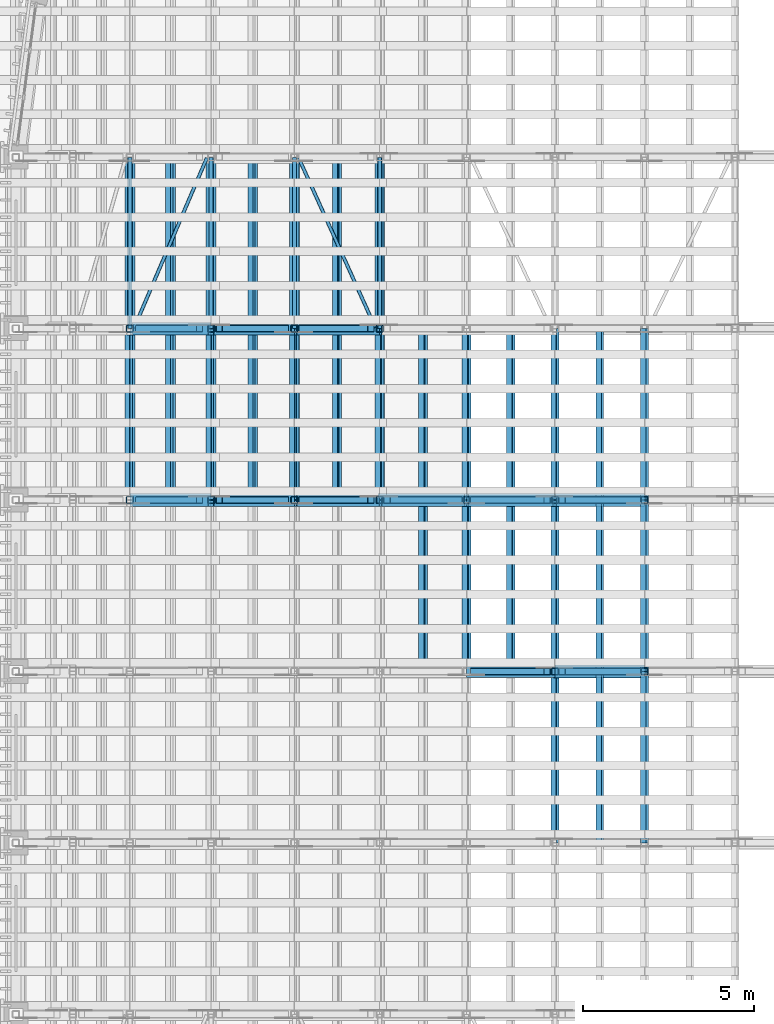
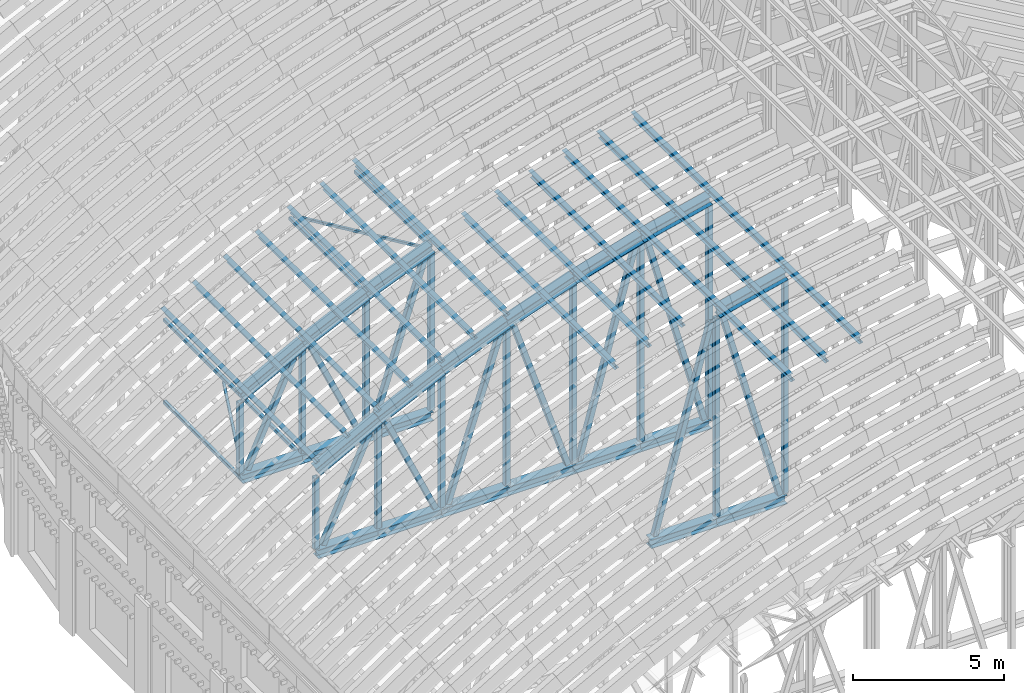
# One storey, part 18 of 105: 81 members.
"""IFC4 building model written with IfcOpenShell, lengths in metres."""

import ifcopenshell
import ifcopenshell.guid

model = None  # the IFC model being written
_history = None  # IfcOwnerHistory: only IFC2X3 demands one
_inside = {}  # id of a spatial element -> (the spatial element, [elements in it])
_under = {}  # id of a project, library or spatial element -> (it, [spatial elements below it])
_declared = {}  # id of a project -> (the project, [libraries it declares])
_typed = {}  # id of a type object -> (the type object, [elements of that type])
_made_of = {}  # id of a material, layer set ... -> (it, [elements and type objects made of it])


def new_model(schema):
    """Start an empty IFC model of exactly this schema.

    Asked for "IFC4X3", IfcOpenShell would pick the latest addendum, in which some entities
    have other attributes; the version numbers below select the first issue.
    IFC2X3 requires an IfcOwnerHistory on every rooted entity: one is made here for all.
    """
    global model, _history
    if schema == "IFC4X3":
        model = ifcopenshell.file(schema_version=(4, 3, 0, 0))
    else:
        model = ifcopenshell.file(schema=schema)
    _inside.clear()
    _under.clear()
    _declared.clear()
    _typed.clear()
    _made_of.clear()
    _history = None
    if model.schema == "IFC2X3":
        org = make("IfcOrganization", Name="unknown")
        user = make(
            "IfcPersonAndOrganization",
            ThePerson=make("IfcPerson", FamilyName="unknown"),
            TheOrganization=org,
        )
        app = make(
            "IfcApplication",
            ApplicationDeveloper=org,
            Version="unknown",
            ApplicationFullName="unknown",
            ApplicationIdentifier="unknown",
        )
        _history = make(
            "IfcOwnerHistory",
            OwningUser=user,
            OwningApplication=app,
            ChangeAction="ADDED",
            CreationDate=0,
        )
    return model


def make(cls, **values):
    """One entity of the class cls with the attributes given. An attribute that is None is left unset."""
    return model.create_entity(
        cls, **{name: value for name, value in values.items() if value is not None}
    )


def rooted(cls, **values):
    """An entity with a GlobalId (a new one), such as an element, a storey or a relation."""
    return make(cls, GlobalId=ifcopenshell.guid.new(), OwnerHistory=_history, **values)


def si_unit(unit_type, name, prefix=None):
    """IfcSIUnit, for example si_unit("LENGTHUNIT", "METRE", prefix="MILLI")."""
    return make("IfcSIUnit", UnitType=unit_type, Prefix=prefix, Name=name)


def assignment(units):
    """IfcUnitAssignment: the units of a project."""
    return None if units is None else make("IfcUnitAssignment", Units=units)


def point(xyz):
    """IfcCartesianPoint."""
    return None if xyz is None else make("IfcCartesianPoint", Coordinates=xyz)


def direction(xyz):
    """IfcDirection."""
    return None if xyz is None else make("IfcDirection", DirectionRatios=xyz)


def frame(location, z_axis=None, x_axis=None):
    """IfcAxis2Placement3D, a coordinate frame: its origin and axes. An axis left out is left unset."""
    return make(
        "IfcAxis2Placement3D",
        Location=point(location),
        Axis=direction(z_axis),
        RefDirection=direction(x_axis),
    )


def frame_2d(location, x_axis=None):
    """IfcAxis2Placement2D, a coordinate frame in the plane: its origin and x axis."""
    return make(
        "IfcAxis2Placement2D", Location=point(location), RefDirection=direction(x_axis)
    )


def origin():
    """The frame at (0, 0, 0) with its axes left unset."""
    return frame((0.0, 0.0, 0.0))


def origin_2d():
    """The frame at (0, 0) in the plane with its x axis left unset."""
    return frame_2d((0.0, 0.0))


def place(relative_to, where):
    """IfcLocalPlacement: puts the frame where relative to a parent placement (None: the world)."""
    return make(
        "IfcLocalPlacement", PlacementRelTo=relative_to, RelativePlacement=where
    )


def context(
    kind, dimensions, precision=None, world=None, true_north=None, identifier=None
):
    """IfcGeometricRepresentationContext, for example the 3D "Model" context."""
    return make(
        "IfcGeometricRepresentationContext",
        ContextIdentifier=identifier,
        ContextType=kind,
        CoordinateSpaceDimension=dimensions,
        Precision=precision,
        WorldCoordinateSystem=world,
        TrueNorth=true_north,
    )


def subcontext(parent, identifier, kind, view, scale=None):
    """IfcGeometricRepresentationSubContext, for example "Body" below "Model"."""
    return make(
        "IfcGeometricRepresentationSubContext",
        ContextIdentifier=identifier,
        ContextType=kind,
        ParentContext=parent,
        TargetScale=scale,
        TargetView=view,
    )


def project(units=None, contexts=None):
    """IfcProject with its units and contexts."""
    return rooted(
        "IfcProject",
        Name="project",
        RepresentationContexts=contexts,
        UnitsInContext=assignment(units),
    )


def spatial(cls, under=None, at=None, **own):
    """A site, building, storey or space (cls), placed at a placement, below another one or the project."""
    s = rooted(cls, ObjectPlacement=at, **own)
    if under is not None:
        _under.setdefault(under.id(), (under, []))[1].append(s)
    return s


def profile(cls, at=None, kind="AREA", **sizes):
    """A parametric profile (cls). Its sizes go by their IFC names, for example OverallWidth=200.0."""
    return make(cls, ProfileType=kind, Position=at, **sizes)


def hollow_rectangle(**sizes):
    """IfcRectangleHollowProfileDef."""
    return profile("IfcRectangleHollowProfileDef", **sizes)


def i_section(**sizes):
    """IfcIShapeProfileDef."""
    return profile("IfcIShapeProfileDef", **sizes)


def extrude(swept, where, along, depth):
    """IfcExtrudedAreaSolid: the profile swept, set in the frame where, extruded along a direction by depth."""
    return make(
        "IfcExtrudedAreaSolid",
        SweptArea=swept,
        Position=where,
        ExtrudedDirection=direction(along),
        Depth=depth,
    )


def shape(context_of_items, identifier, shape_type, items):
    """IfcShapeRepresentation: the items that make up one representation, for example the "Body"."""
    return make(
        "IfcShapeRepresentation",
        ContextOfItems=context_of_items,
        RepresentationIdentifier=identifier,
        RepresentationType=shape_type,
        Items=items,
    )


def material(Name=None, Category=None):
    """IfcMaterial."""
    return make("IfcMaterial", Name=Name, Category=Category)


def material_profile(
    of_material, cross_section, Name=None, Category=None, Priority=None
):
    """IfcMaterialProfile: a cross section and its material."""
    return make(
        "IfcMaterialProfile",
        Name=Name,
        Material=of_material,
        Profile=cross_section,
        Priority=Priority,
        Category=Category,
    )


def profile_set(profiles, Name=None, composite=None):
    """IfcMaterialProfileSet."""
    return make(
        "IfcMaterialProfileSet",
        Name=Name,
        MaterialProfiles=profiles,
        CompositeProfile=composite,
    )


def made_of(thing, what):
    """Note that an element or type object is made of a material, layer set ...; save() writes the relation."""
    if what is not None:
        _made_of.setdefault(what.id(), (what, []))[1].append(thing)
    return thing


def type_object(cls, material=None, **own):
    """A type object (cls), such as IfcWallType, which elements share."""
    return made_of(rooted(cls, **own), material)


def element(
    cls,
    number,
    at=None,
    inside=None,
    cuts=None,
    type_object=None,
    material=None,
    context=None,
    identifier="Body",
    shape_type=None,
    held_by="IfcProductDefinitionShape",
    body=None,
    shapes=None,
    **own,
):
    """One element of the class cls, such as IfcWall. Its Tag is "e" and its number.

    at: its placement. inside: the storey or other place that contains it. cuts: it is an
    opening in that element (IfcRelVoidsElement). A single representation is given by context,
    identifier, shape_type and body (its items); several are given by shapes. held_by: the class
    of the entity that holds the representations. save() writes the other relations.
    """
    e = rooted(cls, Tag="e%d" % number, ObjectPlacement=at, **own)
    if body is not None:
        shapes = [shape(context, identifier, shape_type, body)]
    if shapes is not None:
        e.Representation = make(held_by, Representations=shapes)
    if inside is not None:
        _inside.setdefault(inside.id(), (inside, []))[1].append(e)
    if cuts is not None:
        rooted(
            "IfcRelVoidsElement", RelatingBuildingElement=cuts, RelatedOpeningElement=e
        )
    if type_object is not None:
        _typed.setdefault(type_object.id(), (type_object, []))[1].append(e)
    return made_of(e, material)


def aggregate(whole, parts):
    """IfcRelAggregates: a whole, such as a stair, and the parts it consists of."""
    return rooted("IfcRelAggregates", RelatingObject=whole, RelatedObjects=parts)


def save(model, path):
    """Write the relations noted so far, then the file.

    IfcRelAggregates (storeys below a building ...), IfcRelContainedInSpatialStructure (elements
    in a storey), IfcRelDefinesByType, IfcRelAssociatesMaterial and IfcRelDeclares: one each for
    every whole, place, type object, material and project.
    """
    for whole, parts in _under.values():
        aggregate(whole, parts)
    for where, things in _inside.values():
        rooted(
            "IfcRelContainedInSpatialStructure",
            RelatedElements=things,
            RelatingStructure=where,
        )
    for kind, things in _typed.values():
        rooted("IfcRelDefinesByType", RelatedObjects=things, RelatingType=kind)
    for what, things in _made_of.values():
        rooted("IfcRelAssociatesMaterial", RelatedObjects=things, RelatingMaterial=what)
    for by, libraries in _declared.values():
        rooted("IfcRelDeclares", RelatingContext=by, RelatedDefinitions=libraries)
    model.write(path)


model = new_model("IFC4")

# Units and contexts
model_context = context("Model", 3, precision=1e-05, world=origin(), true_north=direction((0.0, 1.0)))
body_context = subcontext(model_context, "Body", "Model", "MODEL_VIEW")
ifc_project = project(units=[si_unit("LENGTHUNIT", "METRE"), si_unit("AREAUNIT", "SQUARE_METRE"), si_unit("VOLUMEUNIT", "CUBIC_METRE"), si_unit("PLANEANGLEUNIT", "RADIAN"), si_unit("MASSUNIT", "GRAM", prefix="KILO")], contexts=[model_context])

# Site, building, storey
site_placement = place(None, origin())
site = spatial("IfcSite", under=ifc_project, at=site_placement, CompositionType="ELEMENT")
building_placement = place(site_placement, origin())
building = spatial("IfcBuilding", under=site, at=building_placement, Name="Wasatch Bagh Community Centre", CompositionType="ELEMENT")
storey_placement = place(building_placement, frame((0.0, 0.0, 16.800048828125)))
storey = spatial("IfcBuildingStorey", under=building, at=storey_placement, Name="L04", CompositionType="ELEMENT", Elevation=16.800048828125)

# Members
ifc_material_1 = material(Name="ASTM A500 Grade C steel", Category="steel")
ifc_material_profile_1 = material_profile(ifc_material_1, hollow_rectangle(XDim=0.1015625, YDim=0.1015625, WallThickness=0.005859375, InnerFilletRadius=0.005859375, OuterFilletRadius=0.01171875, at=origin_2d()), Name="HSS4x4x1/4")
ifc_profile_set_1 = profile_set([ifc_material_profile_1], Name="ASTM A500 Grade C steel")
member_type_1 = type_object("IfcMemberType", Name="HSS4x4x1/4 brace", PredefinedType="BRACE", material=ifc_profile_set_1)
member_1_placement = place(storey_placement, frame((27.731689453125, 60.033935546875, 14.590087890625), z_axis=(-0.406201041934, 0.898507987425, -0.166385426243), x_axis=(-0.911209524478, -0.411943203003, 0.0)))
element("IfcMember", 1, at=member_1_placement, inside=storey, type_object=member_type_1, Name="MH.TA6-TA7.RT.DG05", PredefinedType="BRACE", context=body_context, shape_type="SweptSolid", body=[
    extrude(hollow_rectangle(XDim=0.1015625, YDim=0.1015625, WallThickness=0.005859375, InnerFilletRadius=0.005859375, OuterFilletRadius=0.01171875, at=origin_2d()), origin(), (0.0, 0.0, 1.0), 5.4892578125),
])
member_2_placement = place(storey_placement, frame((20.69873046875, 60.023193359375, 7.892822265625), z_axis=(0.393585716155, 0.919287922274, 0.0), x_axis=(-0.919287922274, 0.393585716155, 0.0)))
element("IfcMember", 2, at=member_2_placement, inside=storey, type_object=member_type_1, Name="MH.TA6-TA7.RB.DG03", PredefinedType="BRACE", context=body_context, shape_type="SweptSolid", body=[
    extrude(hollow_rectangle(XDim=0.1015625, YDim=0.1015625, WallThickness=0.005859375, InnerFilletRadius=0.005859375, OuterFilletRadius=0.01171875, at=origin_2d()), origin(), (0.0, 0.0, 1.0), 5.388427734375),
])
ifc_material_profile_2 = material_profile(ifc_material_1, hollow_rectangle(XDim=0.126953125, YDim=0.126953125, WallThickness=0.00732421875, InnerFilletRadius=0.00732421875, OuterFilletRadius=0.0146484375, at=origin_2d()), Name="HSS5x5x5/16")
ifc_profile_set_2 = profile_set([ifc_material_profile_2], Name="ASTM A500 Grade C steel")
member_type_2 = type_object("IfcMemberType", Name="HSS5x5x5/16 strut", PredefinedType="STRUT", material=ifc_profile_set_2)
for number, where, z_axis, x_axis, name in (
    (3, (20.5751953125, 60.00537109375, 11.207763671875), (0.0, 1.0, 0.0), (-1.0, 0.0, 0.0), "MH.TA6-TA7.RT.ST02E"),
    (4, (25.373779296875, 60.00537109375, 13.624267578125), (0.0, 1.0, 0.0), (-1.0, 0.0, 0.0), "MH.TA6-TA7.RT.ST05W"),
    (5, (27.85986328125, 60.00537109375, 14.642578125), (0.0, 1.0, 0.0), (-1.0, 0.0, 0.0), "MH.TA6-TA7.RT.ST05E"),
):
    element("IfcMember", number, at=place(storey_placement, frame(where, z_axis=z_axis, x_axis=x_axis)), inside=storey, type_object=member_type_2, Name=name, PredefinedType="STRUT", context=body_context, shape_type="SweptSolid", body=[
        extrude(hollow_rectangle(XDim=0.126953125, YDim=0.126953125, WallThickness=0.00732421875, InnerFilletRadius=0.00732421875, OuterFilletRadius=0.0146484375, at=origin_2d()), origin(), (0.0, 0.0, 1.0), 4.9892578125),
    ])
for number, where, z_axis, x_axis, name in (
    (6, (20.5751953125, 60.003662109375, 7.892822265625), (0.0, 1.0, 0.0), (-1.0, 0.0, 0.0), "MH.TA6-TA7.RB.ST03W"),
    (7, (22.943359375, 60.003662109375, 7.892822265625), (0.0, 1.0, 0.0), (-1.0, 0.0, 0.0), "MH.TA6-TA7.RB.ST03E"),
):
    element("IfcMember", number, at=place(storey_placement, frame(where, z_axis=z_axis, x_axis=x_axis)), inside=storey, type_object=member_type_2, Name=name, PredefinedType="STRUT", context=body_context, shape_type="SweptSolid", body=[
        extrude(hollow_rectangle(XDim=0.126953125, YDim=0.126953125, WallThickness=0.00732421875, InnerFilletRadius=0.00732421875, OuterFilletRadius=0.0146484375, at=origin_2d()), origin(), (0.0, 0.0, 1.0), 4.99267578125),
    ])
ifc_material_profile_3 = material_profile(ifc_material_1, hollow_rectangle(XDim=0.203125, YDim=0.203125, WallThickness=0.01171875, InnerFilletRadius=0.01171875, OuterFilletRadius=0.023681640625, at=origin_2d()), Name="HSS8x8x1/2")
ifc_profile_set_3 = profile_set([ifc_material_profile_3], Name="ASTM A500 Grade C steel")
member_type_3 = type_object("IfcMemberType", Name="HSS8x8x1/2 post", PredefinedType="POST", material=ifc_profile_set_3)
member_3_placement = place(storey_placement, frame((32.972412109375, 50.0, 8.070556640625), z_axis=(0.0, 0.0, 1.0), x_axis=(1.0, 0.0, 0.0)))
element("IfcMember", 8, at=member_3_placement, inside=storey, type_object=member_type_3, Name="MH.TA4.PS08", PredefinedType="POST", context=body_context, shape_type="SweptSolid", body=[
    extrude(hollow_rectangle(XDim=0.203125, YDim=0.203125, WallThickness=0.01171875, InnerFilletRadius=0.01171875, OuterFilletRadius=0.023681640625, at=origin_2d()), origin(), (0.0, 0.0, 1.0), 7.9931640625),
])
member_4_placement = place(storey_placement, frame((35.585205078125, 50.0, 8.070556640625), z_axis=(0.0, 0.0, 1.0), x_axis=(1.0, 0.0, 0.0)))
element("IfcMember", 9, at=member_4_placement, inside=storey, type_object=member_type_3, Name="MH.TA4.PS09", PredefinedType="POST", context=body_context, shape_type="SweptSolid", body=[
    extrude(hollow_rectangle(XDim=0.203125, YDim=0.203125, WallThickness=0.01171875, InnerFilletRadius=0.01171875, OuterFilletRadius=0.023681640625, at=origin_2d()), origin(), (0.0, 0.0, 1.0), 8.6220703125),
])
member_5_placement = place(storey_placement, frame((20.5751953125, 55.0, 8.070556640625), z_axis=(0.0, 0.0, 1.0), x_axis=(1.0, 0.0, 0.0)))
element("IfcMember", 10, at=member_5_placement, inside=storey, type_object=member_type_3, Name="MH.TA5.PS03", PredefinedType="POST", context=body_context, shape_type="SweptSolid", body=[
    extrude(hollow_rectangle(XDim=0.203125, YDim=0.203125, WallThickness=0.01171875, InnerFilletRadius=0.01171875, OuterFilletRadius=0.023681640625, at=origin_2d()), origin(), (0.0, 0.0, 1.0), 2.860107421875),
])
member_6_placement = place(storey_placement, frame((22.943359375, 55.0, 8.070556640625), z_axis=(0.0, 0.0, 1.0), x_axis=(1.0, 0.0, 0.0)))
element("IfcMember", 11, at=member_6_placement, inside=storey, type_object=member_type_3, Name="MH.TA5.PS04", PredefinedType="POST", context=body_context, shape_type="SweptSolid", body=[
    extrude(hollow_rectangle(XDim=0.203125, YDim=0.203125, WallThickness=0.01171875, InnerFilletRadius=0.01171875, OuterFilletRadius=0.023681640625, at=origin_2d()), origin(), (0.0, 0.0, 1.0), 4.143798828125),
])
member_7_placement = place(storey_placement, frame((25.373779296875, 55.0, 8.070556640625), z_axis=(0.0, 0.0, 1.0), x_axis=(1.0, 0.0, 0.0)))
element("IfcMember", 12, at=member_7_placement, inside=storey, type_object=member_type_3, Name="MH.TA5.PS05", PredefinedType="POST", context=body_context, shape_type="SweptSolid", body=[
    extrude(hollow_rectangle(XDim=0.203125, YDim=0.203125, WallThickness=0.01171875, InnerFilletRadius=0.01171875, OuterFilletRadius=0.023681640625, at=origin_2d()), origin(), (0.0, 0.0, 1.0), 5.3017578125),
])
member_8_placement = place(storey_placement, frame((27.85986328125, 55.0, 8.070556640625), z_axis=(0.0, 0.0, 1.0), x_axis=(1.0, 0.0, 0.0)))
element("IfcMember", 13, at=member_8_placement, inside=storey, type_object=member_type_3, Name="MH.TA5.PS06", PredefinedType="POST", context=body_context, shape_type="SweptSolid", body=[
    extrude(hollow_rectangle(XDim=0.203125, YDim=0.203125, WallThickness=0.01171875, InnerFilletRadius=0.01171875, OuterFilletRadius=0.023681640625, at=origin_2d()), origin(), (0.0, 0.0, 1.0), 6.3310546875),
])
member_9_placement = place(storey_placement, frame((30.39501953125, 55.0, 8.070556640625), z_axis=(0.0, 0.0, 1.0), x_axis=(1.0, 0.0, 0.0)))
element("IfcMember", 14, at=member_9_placement, inside=storey, type_object=member_type_3, Name="MH.TA5.PS07", PredefinedType="POST", context=body_context, shape_type="SweptSolid", body=[
    extrude(hollow_rectangle(XDim=0.203125, YDim=0.203125, WallThickness=0.01171875, InnerFilletRadius=0.01171875, OuterFilletRadius=0.023681640625, at=origin_2d()), origin(), (0.0, 0.0, 1.0), 7.228759765625),
])
member_10_placement = place(storey_placement, frame((32.972412109375, 55.0, 8.070556640625), z_axis=(0.0, 0.0, 1.0), x_axis=(1.0, 0.0, 0.0)))
element("IfcMember", 15, at=member_10_placement, inside=storey, type_object=member_type_3, Name="MH.TA5.PS08", PredefinedType="POST", context=body_context, shape_type="SweptSolid", body=[
    extrude(hollow_rectangle(XDim=0.203125, YDim=0.203125, WallThickness=0.01171875, InnerFilletRadius=0.01171875, OuterFilletRadius=0.023681640625, at=origin_2d()), origin(), (0.0, 0.0, 1.0), 7.9931640625),
])
member_11_placement = place(storey_placement, frame((35.585205078125, 55.0, 8.070556640625), z_axis=(0.0, 0.0, 1.0), x_axis=(1.0, 0.0, 0.0)))
element("IfcMember", 16, at=member_11_placement, inside=storey, type_object=member_type_3, Name="MH.TA5.PS09", PredefinedType="POST", context=body_context, shape_type="SweptSolid", body=[
    extrude(hollow_rectangle(XDim=0.203125, YDim=0.203125, WallThickness=0.01171875, InnerFilletRadius=0.01171875, OuterFilletRadius=0.023681640625, at=origin_2d()), origin(), (0.0, 0.0, 1.0), 8.6220703125),
])
member_12_placement = place(storey_placement, frame((20.5751953125, 60.0, 8.070556640625), z_axis=(0.0, 0.0, 1.0), x_axis=(1.0, 0.0, 0.0)))
element("IfcMember", 17, at=member_12_placement, inside=storey, type_object=member_type_3, Name="MH.TA6.PS03", PredefinedType="POST", context=body_context, shape_type="SweptSolid", body=[
    extrude(hollow_rectangle(XDim=0.203125, YDim=0.203125, WallThickness=0.01171875, InnerFilletRadius=0.01171875, OuterFilletRadius=0.023681640625, at=origin_2d()), origin(), (0.0, 0.0, 1.0), 2.860107421875),
])
member_13_placement = place(storey_placement, frame((22.943359375, 60.0, 8.070556640625), z_axis=(0.0, 0.0, 1.0), x_axis=(1.0, 0.0, 0.0)))
element("IfcMember", 18, at=member_13_placement, inside=storey, type_object=member_type_3, Name="MH.TA6.PS04", PredefinedType="POST", context=body_context, shape_type="SweptSolid", body=[
    extrude(hollow_rectangle(XDim=0.203125, YDim=0.203125, WallThickness=0.01171875, InnerFilletRadius=0.01171875, OuterFilletRadius=0.023681640625, at=origin_2d()), origin(), (0.0, 0.0, 1.0), 4.143798828125),
])
member_14_placement = place(storey_placement, frame((25.373779296875, 60.0, 8.070556640625), z_axis=(0.0, 0.0, 1.0), x_axis=(1.0, 0.0, 0.0)))
element("IfcMember", 19, at=member_14_placement, inside=storey, type_object=member_type_3, Name="MH.TA6.PS05", PredefinedType="POST", context=body_context, shape_type="SweptSolid", body=[
    extrude(hollow_rectangle(XDim=0.203125, YDim=0.203125, WallThickness=0.01171875, InnerFilletRadius=0.01171875, OuterFilletRadius=0.023681640625, at=origin_2d()), origin(), (0.0, 0.0, 1.0), 5.3017578125),
])
member_15_placement = place(storey_placement, frame((27.85986328125, 60.0, 8.070556640625), z_axis=(0.0, 0.0, 1.0), x_axis=(1.0, 0.0, 0.0)))
element("IfcMember", 20, at=member_15_placement, inside=storey, type_object=member_type_3, Name="MH.TA6.PS06", PredefinedType="POST", context=body_context, shape_type="SweptSolid", body=[
    extrude(hollow_rectangle(XDim=0.203125, YDim=0.203125, WallThickness=0.01171875, InnerFilletRadius=0.01171875, OuterFilletRadius=0.023681640625, at=origin_2d()), origin(), (0.0, 0.0, 1.0), 6.3310546875),
])
ifc_material_profile_4 = material_profile(ifc_material_1, hollow_rectangle(XDim=0.203125, YDim=0.203125, WallThickness=0.0087890625, InnerFilletRadius=0.0087890625, OuterFilletRadius=0.017822265625, at=origin_2d()), Name="HSS8x8x3/8")
ifc_profile_set_4 = profile_set([ifc_material_profile_4], Name="ASTM A500 Grade C steel")
member_type_4 = type_object("IfcMemberType", Name="HSS8x8x3/8 brace", PredefinedType="BRACE", material=ifc_profile_set_4)
member_16_placement = place(storey_placement, frame((30.60595703125, 50.0, 8.09765625), z_axis=(0.262074056631, 0.0, 0.965047765057), x_axis=(0.0, 1.0, 0.0)))
element("IfcMember", 21, at=member_16_placement, inside=storey, type_object=member_type_4, Name="MH.TA4.WB07", PredefinedType="BRACE", context=body_context, shape_type="SweptSolid", body=[
    extrude(hollow_rectangle(XDim=0.203125, YDim=0.203125, WallThickness=0.0087890625, InnerFilletRadius=0.0087890625, OuterFilletRadius=0.017822265625, at=origin_2d()), origin(), (0.0, 0.0, 1.0), 8.15869140625),
])
member_17_placement = place(storey_placement, frame((35.3740234375, 50.0, 8.097900390625), z_axis=(-0.263471689833, 0.0, 0.964667128421), x_axis=(0.0, -1.0, 0.0)))
element("IfcMember", 22, at=member_17_placement, inside=storey, type_object=member_type_4, Name="MH.TA4.WB08", PredefinedType="BRACE", context=body_context, shape_type="SweptSolid", body=[
    extrude(hollow_rectangle(XDim=0.203125, YDim=0.203125, WallThickness=0.0087890625, InnerFilletRadius=0.0087890625, OuterFilletRadius=0.017822265625, at=origin_2d()), origin(), (0.0, 0.0, 1.0), 8.337890625),
])
member_18_placement = place(storey_placement, frame((20.834716796875, 55.0, 8.11328125), z_axis=(0.41454038017, 0.0, 0.91003091882), x_axis=(0.0, 1.0, 0.0)))
element("IfcMember", 23, at=member_18_placement, inside=storey, type_object=member_type_4, Name="MH.TA5.WB03", PredefinedType="BRACE", context=body_context, shape_type="SweptSolid", body=[
    extrude(hollow_rectangle(XDim=0.203125, YDim=0.203125, WallThickness=0.0087890625, InnerFilletRadius=0.0087890625, OuterFilletRadius=0.017822265625, at=origin_2d()), origin(), (0.0, 0.0, 1.0), 4.2646484375),
])
member_19_placement = place(storey_placement, frame((25.114501953125, 55.0, 8.113037109375), z_axis=(-0.412645327125, 0.0, 0.910891779523), x_axis=(0.0, -1.0, 0.0)))
element("IfcMember", 24, at=member_19_placement, inside=storey, type_object=member_type_4, Name="MH.TA5.WB04", PredefinedType="BRACE", context=body_context, shape_type="SweptSolid", body=[
    extrude(hollow_rectangle(XDim=0.203125, YDim=0.203125, WallThickness=0.0087890625, InnerFilletRadius=0.0087890625, OuterFilletRadius=0.017822265625, at=origin_2d()), origin(), (0.0, 0.0, 1.0), 4.688720703125),
])
member_20_placement = place(storey_placement, frame((25.59814453125, 55.0, 8.1025390625), z_axis=(0.309201900554, 0.0, 0.950996416762), x_axis=(0.0, 1.0, 0.0)))
element("IfcMember", 25, at=member_20_placement, inside=storey, type_object=member_type_4, Name="MH.TA5.WB05", PredefinedType="BRACE", context=body_context, shape_type="SweptSolid", body=[
    extrude(hollow_rectangle(XDim=0.203125, YDim=0.203125, WallThickness=0.0087890625, InnerFilletRadius=0.0087890625, OuterFilletRadius=0.017822265625, at=origin_2d()), origin(), (0.0, 0.0, 1.0), 6.481689453125),
])
member_21_placement = place(storey_placement, frame((30.170166015625, 55.0, 8.1025390625), z_axis=(-0.31047180951, 0.0, 0.950582587417), x_axis=(0.0, -1.0, 0.0)))
element("IfcMember", 26, at=member_21_placement, inside=storey, type_object=member_type_4, Name="MH.TA5.WB06", PredefinedType="BRACE", context=body_context, shape_type="SweptSolid", body=[
    extrude(hollow_rectangle(XDim=0.203125, YDim=0.203125, WallThickness=0.0087890625, InnerFilletRadius=0.0087890625, OuterFilletRadius=0.017822265625, at=origin_2d()), origin(), (0.0, 0.0, 1.0), 6.750732421875),
])
member_22_placement = place(storey_placement, frame((30.60595703125, 55.0, 8.09765625), z_axis=(0.262074056631, 0.0, 0.965047765057), x_axis=(0.0, 1.0, 0.0)))
element("IfcMember", 27, at=member_22_placement, inside=storey, type_object=member_type_4, Name="MH.TA5.WB07", PredefinedType="BRACE", context=body_context, shape_type="SweptSolid", body=[
    extrude(hollow_rectangle(XDim=0.203125, YDim=0.203125, WallThickness=0.0087890625, InnerFilletRadius=0.0087890625, OuterFilletRadius=0.017822265625, at=origin_2d()), origin(), (0.0, 0.0, 1.0), 8.15869140625),
])
member_23_placement = place(storey_placement, frame((35.3740234375, 55.0, 8.097900390625), z_axis=(-0.263471689833, 0.0, 0.964667128421), x_axis=(0.0, -1.0, 0.0)))
element("IfcMember", 28, at=member_23_placement, inside=storey, type_object=member_type_4, Name="MH.TA5.WB08", PredefinedType="BRACE", context=body_context, shape_type="SweptSolid", body=[
    extrude(hollow_rectangle(XDim=0.203125, YDim=0.203125, WallThickness=0.0087890625, InnerFilletRadius=0.0087890625, OuterFilletRadius=0.017822265625, at=origin_2d()), origin(), (0.0, 0.0, 1.0), 8.337890625),
])
member_24_placement = place(storey_placement, frame((20.834716796875, 60.0, 8.11328125), z_axis=(0.41454038017, 0.0, 0.91003091882), x_axis=(0.0, 1.0, 0.0)))
element("IfcMember", 29, at=member_24_placement, inside=storey, type_object=member_type_4, Name="MH.TA6.WB03", PredefinedType="BRACE", context=body_context, shape_type="SweptSolid", body=[
    extrude(hollow_rectangle(XDim=0.203125, YDim=0.203125, WallThickness=0.0087890625, InnerFilletRadius=0.0087890625, OuterFilletRadius=0.017822265625, at=origin_2d()), origin(), (0.0, 0.0, 1.0), 4.2646484375),
])
member_25_placement = place(storey_placement, frame((25.114501953125, 60.0, 8.113037109375), z_axis=(-0.412645327125, 0.0, 0.910891779523), x_axis=(0.0, -1.0, 0.0)))
element("IfcMember", 30, at=member_25_placement, inside=storey, type_object=member_type_4, Name="MH.TA6.WB04", PredefinedType="BRACE", context=body_context, shape_type="SweptSolid", body=[
    extrude(hollow_rectangle(XDim=0.203125, YDim=0.203125, WallThickness=0.0087890625, InnerFilletRadius=0.0087890625, OuterFilletRadius=0.017822265625, at=origin_2d()), origin(), (0.0, 0.0, 1.0), 4.688720703125),
])
member_26_placement = place(storey_placement, frame((25.59814453125, 60.0, 8.1025390625), z_axis=(0.309201900554, 0.0, 0.950996416762), x_axis=(0.0, 1.0, 0.0)))
element("IfcMember", 31, at=member_26_placement, inside=storey, type_object=member_type_4, Name="MH.TA6.WB05", PredefinedType="BRACE", context=body_context, shape_type="SweptSolid", body=[
    extrude(hollow_rectangle(XDim=0.203125, YDim=0.203125, WallThickness=0.0087890625, InnerFilletRadius=0.0087890625, OuterFilletRadius=0.017822265625, at=origin_2d()), origin(), (0.0, 0.0, 1.0), 6.481689453125),
])
ifc_material_2 = material(Name="ASTM A992 Grade 50 steel", Category="steel")
ifc_material_profile_5 = material_profile(ifc_material_2, i_section(OverallWidth=0.164794921875, OverallDepth=0.309814453125, WebThickness=0.005859375, FlangeThickness=0.009765625, at=origin_2d()), Name="W12x26")
ifc_profile_set_5 = profile_set([ifc_material_profile_5], Name="ASTM A992 Grade 50 steel")
member_type_5 = type_object("IfcMemberType", Name="W12x26 purlin", PredefinedType="PURLIN", material=ifc_profile_set_5)
for number, where, z_axis, x_axis, name in (
    (32, (32.972412109375, 45.0, 16.6376953125), (0.0, 1.0, 0.0), (-0.959937587317, 0.0, -0.280213897686), "MH.TA3-TA4.PU16"),
    (33, (34.27880859375, 45.0, 16.944580078125), (0.0, 1.0, 0.0), (-0.973121628566, 0.0, -0.23029176281), "MH.TA3-TA4.PU17"),
    (34, (35.585205078125, 45.0, 17.25390625), (0.0, 1.0, 0.0), (-0.973121628566, 0.0, -0.23029176281), "MH.TA3-TA4.PU18"),
    (35, (29.12744140625, 50.0, 15.44580078125), (0.0, 1.0, 0.0), (-0.944194315577, 0.0, -0.329388971326), "MH.TA4-TA5.PU13"),
    (36, (30.39501953125, 50.0, 15.887939453125), (0.0, 1.0, 0.0), (-0.944194315577, 0.0, -0.329388971326), "MH.TA4-TA5.PU14"),
    (37, (31.683837890625, 50.0, 16.261474609375), (0.0, 1.0, 0.0), (-0.959937587317, 0.0, -0.280213897686), "MH.TA4-TA5.PU15"),
    (38, (32.972412109375, 50.0, 16.6376953125), (0.0, 1.0, 0.0), (-0.959937587317, 0.0, -0.280213897686), "MH.TA4-TA5.PU16"),
    (39, (34.27880859375, 50.0, 16.944580078125), (0.0, 1.0, 0.0), (-0.973121628566, 0.0, -0.23029176281), "MH.TA4-TA5.PU17"),
    (40, (35.585205078125, 50.0, 17.25390625), (0.0, 1.0, 0.0), (-0.973121628566, 0.0, -0.23029176281), "MH.TA4-TA5.PU18"),
    (41, (20.5751953125, 55.0, 11.600341796875), (0.0, 1.0, 0.0), (-0.856568214693, 0.0, -0.516033810499), "MH.TA5-TA6.PU06"),
    (42, (21.75927734375, 55.0, 12.2275390625), (0.0, 1.0, 0.0), (-0.882062247877, 0.0, -0.471132880269), "MH.TA5-TA6.PU07"),
    (43, (22.943359375, 55.0, 12.860107421875), (0.0, 1.0, 0.0), (-0.882062247877, 0.0, -0.471132880269), "MH.TA5-TA6.PU08"),
    (44, (24.15869140625, 55.0, 13.426025390625), (0.0, 1.0, 0.0), (-0.905204669284, 0.0, -0.424975889559), "MH.TA5-TA6.PU09"),
    (45, (25.373779296875, 55.0, 13.99658203125), (0.0, 1.0, 0.0), (-0.905204669284, 0.0, -0.424975889559), "MH.TA5-TA6.PU10"),
    (46, (26.616943359375, 55.0, 14.499755859375), (0.0, 1.0, 0.0), (-0.925933779633, 0.0, -0.377685895599), "MH.TA5-TA6.PU11"),
    (47, (27.85986328125, 55.0, 15.0068359375), (0.0, 1.0, 0.0), (-0.925933779633, 0.0, -0.377685895599), "MH.TA5-TA6.PU12"),
    (48, (29.12744140625, 55.0, 15.44580078125), (0.0, 1.0, 0.0), (-0.944194315577, 0.0, -0.329388971326), "MH.TA5-TA6.PU13"),
    (49, (30.39501953125, 55.0, 15.887939453125), (0.0, 1.0, 0.0), (-0.944194315577, 0.0, -0.329388971326), "MH.TA5-TA6.PU14"),
    (50, (31.683837890625, 55.0, 16.261474609375), (0.0, 1.0, 0.0), (-0.959937587317, 0.0, -0.280213897686), "MH.TA5-TA6.PU15"),
    (51, (32.972412109375, 55.0, 16.6376953125), (0.0, 1.0, 0.0), (-0.959937587317, 0.0, -0.280213897686), "MH.TA5-TA6.PU16"),
    (52, (34.27880859375, 55.0, 16.944580078125), (0.0, 1.0, 0.0), (-0.973121628566, 0.0, -0.23029176281), "MH.TA5-TA6.PU17"),
    (53, (35.585205078125, 55.0, 17.25390625), (0.0, 1.0, 0.0), (-0.973121628566, 0.0, -0.23029176281), "MH.TA5-TA6.PU18"),
    (54, (20.5751953125, 60.0, 11.600341796875), (0.0, 1.0, 0.0), (-0.856568214693, 0.0, -0.516033810499), "MH.TA6-TA7.PU06"),
    (55, (21.75927734375, 60.0, 12.2275390625), (0.0, 1.0, 0.0), (-0.882062247877, 0.0, -0.471132880269), "MH.TA6-TA7.PU07"),
    (56, (22.943359375, 60.0, 12.860107421875), (0.0, 1.0, 0.0), (-0.882062247877, 0.0, -0.471132880269), "MH.TA6-TA7.PU08"),
    (57, (24.15869140625, 60.0, 13.426025390625), (0.0, 1.0, 0.0), (-0.905204669284, 0.0, -0.424975889559), "MH.TA6-TA7.PU09"),
    (58, (25.373779296875, 60.0, 13.99658203125), (0.0, 1.0, 0.0), (-0.905204669284, 0.0, -0.424975889559), "MH.TA6-TA7.PU10"),
    (59, (26.616943359375, 60.0, 14.499755859375), (0.0, 1.0, 0.0), (-0.925933779633, 0.0, -0.377685895599), "MH.TA6-TA7.PU11"),
    (60, (27.85986328125, 60.0, 15.0068359375), (0.0, 1.0, 0.0), (-0.925933779633, 0.0, -0.377685895599), "MH.TA6-TA7.PU12"),
):
    element("IfcMember", number, at=place(storey_placement, frame(where, z_axis=z_axis, x_axis=x_axis)), inside=storey, type_object=member_type_5, Name=name, PredefinedType="PURLIN", context=body_context, shape_type="SweptSolid", body=[
        extrude(i_section(OverallWidth=0.164794921875, OverallDepth=0.309814453125, WebThickness=0.005859375, FlangeThickness=0.009765625, at=origin_2d()), origin(), (0.0, 0.0, 1.0), 5.0),
    ])
ifc_material_profile_6 = material_profile(ifc_material_2, i_section(OverallWidth=0.373291015625, OverallDepth=0.368408203125, WebThickness=0.014892578125, FlangeThickness=0.02392578125, at=origin_2d()), Name="W14x120")
ifc_profile_set_6 = profile_set([ifc_material_profile_6], Name="ASTM A992 Grade 50 steel")
member_type_6 = type_object("IfcMemberType", Name="W14x120 chord", PredefinedType="CHORD", material=ifc_profile_set_6)
member_27_placement = place(storey_placement, frame((32.9775390625, 50.0, 16.287109375), z_axis=(0.972931420712, 0.0, 0.23109402976), x_axis=(0.0, 1.0, 0.0)))
element("IfcMember", 61, at=member_27_placement, inside=storey, type_object=member_type_6, Name="MH.TA4.TC10", PredefinedType="CHORD", context=body_context, shape_type="SweptSolid", body=[
    extrude(i_section(OverallWidth=0.373291015625, OverallDepth=0.368408203125, WebThickness=0.014892578125, FlangeThickness=0.02392578125, at=origin_2d()), origin(), (0.0, 0.0, 1.0), 2.675048828125),
])
member_28_placement = place(storey_placement, frame((20.57958984375, 55.0, 11.210205078125), z_axis=(0.881199185378, 0.0, 0.472745169927), x_axis=(0.0, 1.0, 0.0)))
element("IfcMember", 62, at=member_28_placement, inside=storey, type_object=member_type_6, Name="MH.TA5.TC05", PredefinedType="CHORD", context=body_context, shape_type="SweptSolid", body=[
    extrude(i_section(OverallWidth=0.373291015625, OverallDepth=0.368408203125, WebThickness=0.014892578125, FlangeThickness=0.02392578125, at=origin_2d()), origin(), (0.0, 0.0, 1.0), 2.67724609375),
])
member_29_placement = place(storey_placement, frame((22.9482421875, 55.0, 12.480712890625), z_axis=(0.90451458508, 0.0, 0.426442687096), x_axis=(0.0, 1.0, 0.0)))
element("IfcMember", 63, at=member_29_placement, inside=storey, type_object=member_type_6, Name="MH.TA5.TC06", PredefinedType="CHORD", context=body_context, shape_type="SweptSolid", body=[
    extrude(i_section(OverallWidth=0.373291015625, OverallDepth=0.368408203125, WebThickness=0.014892578125, FlangeThickness=0.02392578125, at=origin_2d()), origin(), (0.0, 0.0, 1.0), 2.676513671875),
])
member_30_placement = place(storey_placement, frame((25.378662109375, 55.0, 13.62646484375), z_axis=(0.925400102713, 0.0, 0.378991622466), x_axis=(0.0, 1.0, 0.0)))
element("IfcMember", 64, at=member_30_placement, inside=storey, type_object=member_type_6, Name="MH.TA5.TC07", PredefinedType="CHORD", context=body_context, shape_type="SweptSolid", body=[
    extrude(i_section(OverallWidth=0.373291015625, OverallDepth=0.368408203125, WebThickness=0.014892578125, FlangeThickness=0.02392578125, at=origin_2d()), origin(), (0.0, 0.0, 1.0), 2.676025390625),
])
member_31_placement = place(storey_placement, frame((27.864990234375, 55.0, 14.644287109375), z_axis=(0.943774394327, 0.0, 0.330590218568), x_axis=(0.0, 1.0, 0.0)))
element("IfcMember", 65, at=member_31_placement, inside=storey, type_object=member_type_6, Name="MH.TA5.TC08", PredefinedType="CHORD", context=body_context, shape_type="SweptSolid", body=[
    extrude(i_section(OverallWidth=0.373291015625, OverallDepth=0.368408203125, WebThickness=0.014892578125, FlangeThickness=0.02392578125, at=origin_2d()), origin(), (0.0, 0.0, 1.0), 2.675537109375),
])
for number, where, z_axis, x_axis, name in (
    (66, (30.400146484375, 55.0, 15.531982421875), (0.959628119174, 0.0, 0.281271884288), (0.0, 1.0, 0.0), "MH.TA5.TC09"),
    (67, (32.9775390625, 55.0, 16.287109375), (0.972931420712, 0.0, 0.23109402976), (0.0, 1.0, 0.0), "MH.TA5.TC10"),
):
    element("IfcMember", number, at=place(storey_placement, frame(where, z_axis=z_axis, x_axis=x_axis)), inside=storey, type_object=member_type_6, Name=name, PredefinedType="CHORD", context=body_context, shape_type="SweptSolid", body=[
        extrude(i_section(OverallWidth=0.373291015625, OverallDepth=0.368408203125, WebThickness=0.014892578125, FlangeThickness=0.02392578125, at=origin_2d()), origin(), (0.0, 0.0, 1.0), 2.675048828125),
    ])
member_32_placement = place(storey_placement, frame((20.57958984375, 60.0, 11.210205078125), z_axis=(0.881199185378, 0.0, 0.472745169927), x_axis=(0.0, 1.0, 0.0)))
element("IfcMember", 68, at=member_32_placement, inside=storey, type_object=member_type_6, Name="MH.TA6.TC05", PredefinedType="CHORD", context=body_context, shape_type="SweptSolid", body=[
    extrude(i_section(OverallWidth=0.373291015625, OverallDepth=0.368408203125, WebThickness=0.014892578125, FlangeThickness=0.02392578125, at=origin_2d()), origin(), (0.0, 0.0, 1.0), 2.67724609375),
])
member_33_placement = place(storey_placement, frame((22.9482421875, 60.0, 12.480712890625), z_axis=(0.90451458508, 0.0, 0.426442687096), x_axis=(0.0, 1.0, 0.0)))
element("IfcMember", 69, at=member_33_placement, inside=storey, type_object=member_type_6, Name="MH.TA6.TC06", PredefinedType="CHORD", context=body_context, shape_type="SweptSolid", body=[
    extrude(i_section(OverallWidth=0.373291015625, OverallDepth=0.368408203125, WebThickness=0.014892578125, FlangeThickness=0.02392578125, at=origin_2d()), origin(), (0.0, 0.0, 1.0), 2.676513671875),
])
member_34_placement = place(storey_placement, frame((25.378662109375, 60.0, 13.62646484375), z_axis=(0.925400102713, 0.0, 0.378991622466), x_axis=(0.0, 1.0, 0.0)))
element("IfcMember", 70, at=member_34_placement, inside=storey, type_object=member_type_6, Name="MH.TA6.TC07", PredefinedType="CHORD", context=body_context, shape_type="SweptSolid", body=[
    extrude(i_section(OverallWidth=0.373291015625, OverallDepth=0.368408203125, WebThickness=0.014892578125, FlangeThickness=0.02392578125, at=origin_2d()), origin(), (0.0, 0.0, 1.0), 2.676025390625),
])
ifc_material_profile_7 = material_profile(ifc_material_2, i_section(OverallWidth=0.368408203125, OverallDepth=0.355712890625, WebThickness=0.01123046875, FlangeThickness=0.01806640625, at=origin_2d()), Name="W14x90")
ifc_profile_set_7 = profile_set([ifc_material_profile_7], Name="ASTM A992 Grade 50 steel")
member_type_7 = type_object("IfcMemberType", Name="W14x90 chord", PredefinedType="CHORD", material=ifc_profile_set_7)
member_35_placement = place(storey_placement, frame((30.39501953125, 50.0, 7.892822265625), z_axis=(1.0, 0.0, 0.0), x_axis=(0.0, 1.0, 0.0)))
element("IfcMember", 71, at=member_35_placement, inside=storey, type_object=member_type_7, Name="MH.TA4.BC07", PredefinedType="CHORD", context=body_context, shape_type="SweptSolid", body=[
    extrude(i_section(OverallWidth=0.368408203125, OverallDepth=0.355712890625, WebThickness=0.01123046875, FlangeThickness=0.01806640625, at=origin_2d()), origin(), (0.0, 0.0, 1.0), 2.577392578125),
])
member_36_placement = place(storey_placement, frame((32.972412109375, 50.0, 7.892822265625), z_axis=(1.0, 0.0, 0.0), x_axis=(0.0, 1.0, 0.0)))
element("IfcMember", 72, at=member_36_placement, inside=storey, type_object=member_type_7, Name="MH.TA4.BC08", PredefinedType="CHORD", context=body_context, shape_type="SweptSolid", body=[
    extrude(i_section(OverallWidth=0.368408203125, OverallDepth=0.355712890625, WebThickness=0.01123046875, FlangeThickness=0.01806640625, at=origin_2d()), origin(), (0.0, 0.0, 1.0), 2.61279296875),
])
member_37_placement = place(storey_placement, frame((20.5751953125, 55.0, 7.892822265625), z_axis=(1.0, 0.0, 0.0), x_axis=(0.0, 1.0, 0.0)))
element("IfcMember", 73, at=member_37_placement, inside=storey, type_object=member_type_7, Name="MH.TA5.BC03", PredefinedType="CHORD", context=body_context, shape_type="SweptSolid", body=[
    extrude(i_section(OverallWidth=0.368408203125, OverallDepth=0.355712890625, WebThickness=0.01123046875, FlangeThickness=0.01806640625, at=origin_2d()), origin(), (0.0, 0.0, 1.0), 2.3681640625),
])
member_38_placement = place(storey_placement, frame((22.943359375, 55.0, 7.892822265625), z_axis=(1.0, 0.0, 0.0), x_axis=(0.0, 1.0, 0.0)))
element("IfcMember", 74, at=member_38_placement, inside=storey, type_object=member_type_7, Name="MH.TA5.BC04", PredefinedType="CHORD", context=body_context, shape_type="SweptSolid", body=[
    extrude(i_section(OverallWidth=0.368408203125, OverallDepth=0.355712890625, WebThickness=0.01123046875, FlangeThickness=0.01806640625, at=origin_2d()), origin(), (0.0, 0.0, 1.0), 2.430419921875),
])
member_39_placement = place(storey_placement, frame((25.373779296875, 55.0, 7.892822265625), z_axis=(1.0, 0.0, 0.0), x_axis=(0.0, 1.0, 0.0)))
element("IfcMember", 75, at=member_39_placement, inside=storey, type_object=member_type_7, Name="MH.TA5.BC05", PredefinedType="CHORD", context=body_context, shape_type="SweptSolid", body=[
    extrude(i_section(OverallWidth=0.368408203125, OverallDepth=0.355712890625, WebThickness=0.01123046875, FlangeThickness=0.01806640625, at=origin_2d()), origin(), (0.0, 0.0, 1.0), 2.486083984375),
])
member_40_placement = place(storey_placement, frame((27.85986328125, 55.0, 7.892822265625), z_axis=(1.0, 0.0, 0.0), x_axis=(0.0, 1.0, 0.0)))
element("IfcMember", 76, at=member_40_placement, inside=storey, type_object=member_type_7, Name="MH.TA5.BC06", PredefinedType="CHORD", context=body_context, shape_type="SweptSolid", body=[
    extrude(i_section(OverallWidth=0.368408203125, OverallDepth=0.355712890625, WebThickness=0.01123046875, FlangeThickness=0.01806640625, at=origin_2d()), origin(), (0.0, 0.0, 1.0), 2.53515625),
])
member_41_placement = place(storey_placement, frame((30.39501953125, 55.0, 7.892822265625), z_axis=(1.0, 0.0, 0.0), x_axis=(0.0, 1.0, 0.0)))
element("IfcMember", 77, at=member_41_placement, inside=storey, type_object=member_type_7, Name="MH.TA5.BC07", PredefinedType="CHORD", context=body_context, shape_type="SweptSolid", body=[
    extrude(i_section(OverallWidth=0.368408203125, OverallDepth=0.355712890625, WebThickness=0.01123046875, FlangeThickness=0.01806640625, at=origin_2d()), origin(), (0.0, 0.0, 1.0), 2.577392578125),
])
member_42_placement = place(storey_placement, frame((32.972412109375, 55.0, 7.892822265625), z_axis=(1.0, 0.0, 0.0), x_axis=(0.0, 1.0, 0.0)))
element("IfcMember", 78, at=member_42_placement, inside=storey, type_object=member_type_7, Name="MH.TA5.BC08", PredefinedType="CHORD", context=body_context, shape_type="SweptSolid", body=[
    extrude(i_section(OverallWidth=0.368408203125, OverallDepth=0.355712890625, WebThickness=0.01123046875, FlangeThickness=0.01806640625, at=origin_2d()), origin(), (0.0, 0.0, 1.0), 2.61279296875),
])
member_43_placement = place(storey_placement, frame((20.5751953125, 60.0, 7.892822265625), z_axis=(1.0, 0.0, 0.0), x_axis=(0.0, 1.0, 0.0)))
element("IfcMember", 79, at=member_43_placement, inside=storey, type_object=member_type_7, Name="MH.TA6.BC03", PredefinedType="CHORD", context=body_context, shape_type="SweptSolid", body=[
    extrude(i_section(OverallWidth=0.368408203125, OverallDepth=0.355712890625, WebThickness=0.01123046875, FlangeThickness=0.01806640625, at=origin_2d()), origin(), (0.0, 0.0, 1.0), 2.3681640625),
])
member_44_placement = place(storey_placement, frame((22.943359375, 60.0, 7.892822265625), z_axis=(1.0, 0.0, 0.0), x_axis=(0.0, 1.0, 0.0)))
element("IfcMember", 80, at=member_44_placement, inside=storey, type_object=member_type_7, Name="MH.TA6.BC04", PredefinedType="CHORD", context=body_context, shape_type="SweptSolid", body=[
    extrude(i_section(OverallWidth=0.368408203125, OverallDepth=0.355712890625, WebThickness=0.01123046875, FlangeThickness=0.01806640625, at=origin_2d()), origin(), (0.0, 0.0, 1.0), 2.430419921875),
])
member_45_placement = place(storey_placement, frame((25.373779296875, 60.0, 7.892822265625), z_axis=(1.0, 0.0, 0.0), x_axis=(0.0, 1.0, 0.0)))
element("IfcMember", 81, at=member_45_placement, inside=storey, type_object=member_type_7, Name="MH.TA6.BC05", PredefinedType="CHORD", context=body_context, shape_type="SweptSolid", body=[
    extrude(i_section(OverallWidth=0.368408203125, OverallDepth=0.355712890625, WebThickness=0.01123046875, FlangeThickness=0.01806640625, at=origin_2d()), origin(), (0.0, 0.0, 1.0), 2.486083984375),
])

save(model, "model.ifc")
